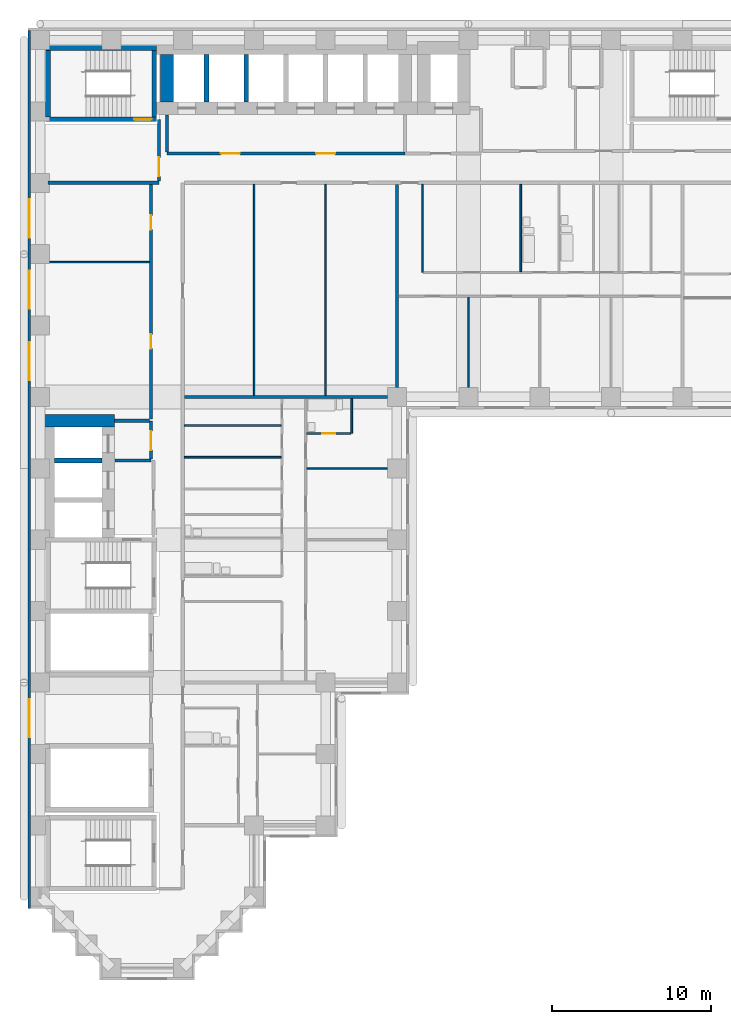
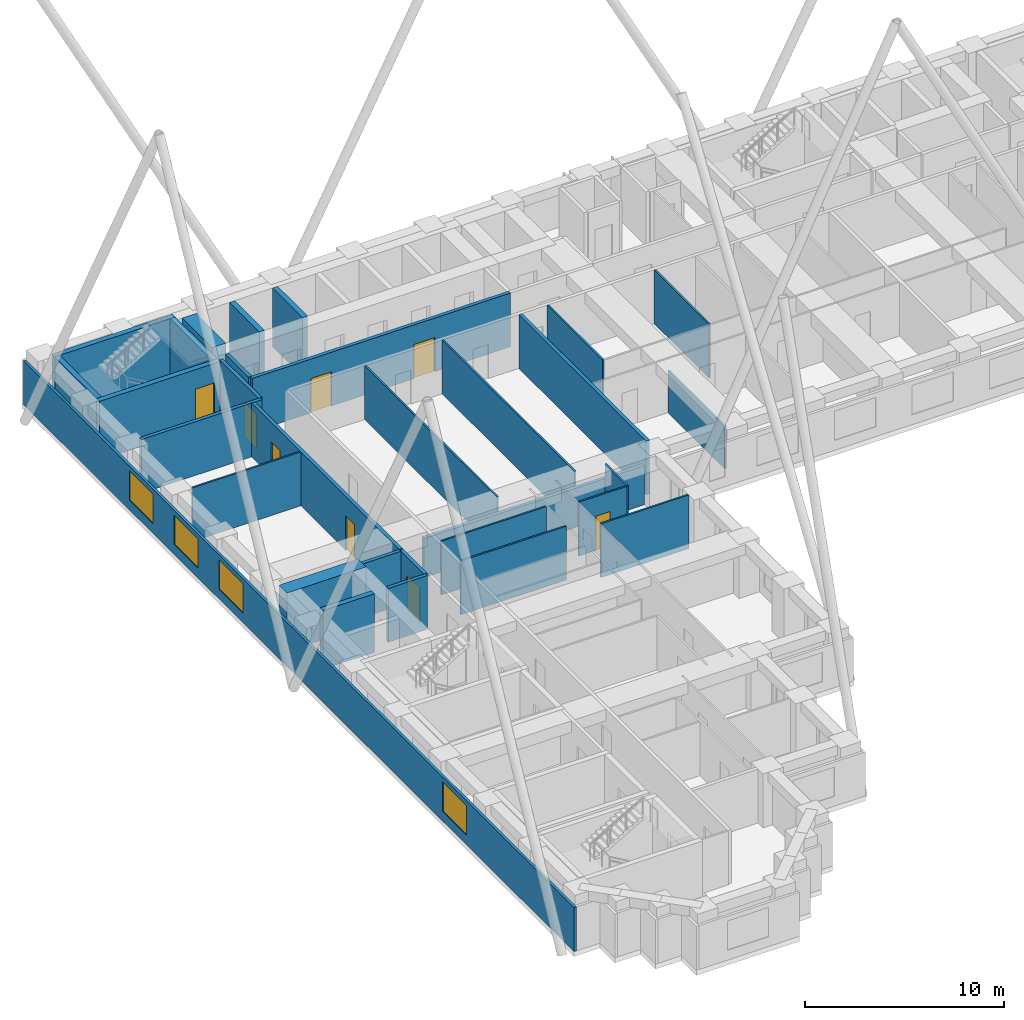
# One storey, part 5 of 12: 31 walls, 8 doors, 4 windows, 12 openings.
"""IFC4 building model written with IfcOpenShell, lengths in metres."""

from ifc_helpers import new_model, si_unit, direction, frame, frame_2d, origin, place, context, subcontext, project, spatial, rectangle, extrude, material, layer, layer_set, type_object, element, fill, save


model = new_model("IFC4")

# Units and contexts
model_context = context("Model", 3, precision=1e-05, world=origin(), true_north=direction((0.0, 1.0)))
body_context = subcontext(model_context, "Body", "Model", "MODEL_VIEW")
ifc_project = project(units=[si_unit("LENGTHUNIT", "METRE"), si_unit("AREAUNIT", "SQUARE_METRE"), si_unit("VOLUMEUNIT", "CUBIC_METRE"), si_unit("PLANEANGLEUNIT", "RADIAN"), si_unit("MASSUNIT", "GRAM", prefix="KILO")], contexts=[model_context])

# Site, building, storey
site_placement = place(None, origin())
site = spatial("IfcSite", under=ifc_project, at=site_placement, CompositionType="ELEMENT")
building_placement = place(site_placement, origin())
building = spatial("IfcBuilding", under=site, at=building_placement, Name="Firuza Court", CompositionType="ELEMENT")
storey_placement = place(building_placement, frame((0.0, 0.0, 93.800048828125)))
storey = spatial("IfcBuildingStorey", under=building, at=storey_placement, Name="L23", CompositionType="ELEMENT", Elevation=93.800048828125)

# Wall, opening, door
ifc_material_1 = material(Name="Moisture-resistant gypsum board partition")
ifc_layer_1 = layer(ifc_material_1, 0.10009765625)
ifc_layer_set_1 = layer_set([ifc_layer_1], Name="Moisture-resistant gypsum board partition")
wall_type_1 = type_object("IfcWallType", Name="Bathroom partition 100", PredefinedType="PLUMBINGWALL", material=ifc_layer_set_1)
wall_1_placement = place(storey_placement, frame((16.800048828125, 33.699951171875, 0.0), z_axis=(0.0, 0.0, 1.0), x_axis=(1.0, 0.0, 0.0)))
wall_1 = element("IfcWall", 1, at=wall_1_placement, inside=storey, type_object=wall_type_1, Name="Bathroom partition 100 L23", PredefinedType="PLUMBINGWALL", context=body_context, shape_type="SweptSolid", body=[
    extrude(rectangle(XDim=2.800048828125, YDim=0.10009765625, at=frame_2d((1.39990234375, 0.0))), origin(), (0.0, 0.0, 1.0), 3.300048828125),
])
opening_1_placement = place(wall_1_placement, frame((1.0, 0.0, 0.0)))
opening_1 = element("IfcOpeningElement", 2, at=opening_1_placement, cuts=wall_1, Name="Opening D23038", PredefinedType="OPENING", context=body_context, shape_type="SweptSolid", body=[
    extrude(rectangle(XDim=0.800048828125, YDim=2.10009765625, at=frame_2d((0.39990234375, 1.050048828125))), frame((0.0, 0.06201171875, 0.0), z_axis=(0.0, -1.0, 0.0), x_axis=(1.0, 0.0, 0.0)), (0.0, 0.0, 1.0), 0.1240234375),
])
ifc_material_2 = material(Name="Timber door leaf in hardwood frame", Category="wood")
door_type_1 = type_object("IfcDoorType", Name="Bathroom door 800", OperationType="SINGLE_SWING_LEFT", PredefinedType="DOOR", material=ifc_material_2)
door_1_placement = place(opening_1_placement, origin())
door_1 = element("IfcDoor", 3, at=door_1_placement, inside=storey, type_object=door_type_1, Name="En-suite door", OperationType="SINGLE_SWING_LEFT", OverallHeight=2.10009765625, OverallWidth=0.800048828125, PredefinedType="DOOR", context=body_context, shape_type="SweptSolid", body=[
    extrude(rectangle(XDim=0.800048828125, YDim=2.10009765625, at=frame_2d((0.39990234375, 1.050048828125))), frame((0.0, 0.02490234375, 0.0), z_axis=(0.0, -1.0, 0.0), x_axis=(1.0, 0.0, 0.0)), (0.0, 0.0, 1.0), 0.050048828125),
])
fill(opening_1, door_1)

# Walls
wall_2_placement = place(storey_placement, frame((19.64990234375, 33.699951171875, 0.0), z_axis=(0.0, 0.0, 1.0), x_axis=(0.0, 1.0, 0.0)))
element("IfcWall", 4, at=wall_2_placement, inside=storey, type_object=wall_type_1, Name="Bathroom partition 100 L23", PredefinedType="PLUMBINGWALL", context=body_context, shape_type="SweptSolid", body=[
    extrude(rectangle(XDim=2.199951171875, YDim=0.10009765625, at=frame_2d((1.10009765625, 0.0))), origin(), (0.0, 0.0, 1.0), 3.300048828125),
])
wall_3_placement = place(storey_placement, frame((30.300048828125, 43.89990234375, 0.0), z_axis=(0.0, 0.0, 1.0), x_axis=(0.0, 1.0, 0.0)))
element("IfcWall", 5, at=wall_3_placement, inside=storey, type_object=wall_type_1, Name="Bathroom partition 100 L23", PredefinedType="PLUMBINGWALL", context=body_context, shape_type="SweptSolid", body=[
    extrude(rectangle(XDim=5.5, YDim=0.10009765625, at=frame_2d((2.75, 0.0))), origin(), (0.0, 0.0, 1.0), 3.300048828125),
])

# Wall, opening, door
ifc_material_3 = material(Name="Concrete C60/75", Category="concrete")
ifc_layer_2 = layer(ifc_material_3, 0.300048828125)
ifc_layer_set_2 = layer_set([ifc_layer_2], Name="Concrete C60/75")
wall_type_2 = type_object("IfcWallType", Name="Core wall 300 C60/75", PredefinedType="SHEAR", material=ifc_layer_set_2)
wall_4_placement = place(storey_placement, frame((0.35009765625, 53.5, -0.300048828125), z_axis=(0.0, 0.0, 1.0), x_axis=(1.0, 0.0, 0.0)))
wall_4 = element("IfcWall", 6, at=wall_4_placement, inside=storey, type_object=wall_type_2, Name="Core wall stair L23", PredefinedType="SHEAR", context=body_context, shape_type="SweptSolid", body=[
    extrude(rectangle(XDim=7.0, YDim=0.300048828125, at=frame_2d((3.5, 0.0))), origin(), (0.0, 0.0, 1.0), 3.60009765625),
])
opening_2_placement = place(wall_4_placement, frame((5.580078125, 0.0, 0.300048828125)))
opening_2 = element("IfcOpeningElement", 7, at=opening_2_placement, cuts=wall_4, Name="Opening D23016", PredefinedType="OPENING", context=body_context, shape_type="SweptSolid", body=[
    extrude(rectangle(XDim=1.10009765625, YDim=2.10009765625, at=frame_2d((0.550048828125, 1.050048828125))), frame((0.0, 0.162109375, 0.0), z_axis=(0.0, -1.0, 0.0), x_axis=(1.0, 0.0, 0.0)), (0.0, 0.0, 1.0), 0.323974609375),
])
ifc_material_4 = material(Name="Timber door leaf in hardwood frame", Category="wood")
door_type_2 = type_object("IfcDoorType", Name="Stair door 1100", OperationType="SINGLE_SWING_LEFT", PredefinedType="DOOR", material=ifc_material_4)
door_2_placement = place(opening_2_placement, origin())
door_2 = element("IfcDoor", 8, at=door_2_placement, inside=storey, type_object=door_type_2, Name="Stair door S3", OperationType="SINGLE_SWING_RIGHT", OverallHeight=2.10009765625, OverallWidth=1.10009765625, PredefinedType="DOOR", context=body_context, shape_type="SweptSolid", body=[
    extrude(rectangle(XDim=1.10009765625, YDim=2.10009765625, at=frame_2d((0.550048828125, 1.050048828125))), frame((0.0, 0.02490234375, 0.0), z_axis=(0.0, -1.0, 0.0), x_axis=(1.0, 0.0, 0.0)), (0.0, 0.0, 1.0), 0.050048828125),
])
fill(opening_2, door_2)

# Walls
wall_5_placement = place(storey_placement, frame((0.35009765625, 58.0, -0.300048828125), z_axis=(0.0, 0.0, 1.0), x_axis=(1.0, 0.0, 0.0)))
element("IfcWall", 9, at=wall_5_placement, inside=storey, type_object=wall_type_2, Name="Core wall stair L23", PredefinedType="SHEAR", context=body_context, shape_type="SweptSolid", body=[
    extrude(rectangle(XDim=7.0, YDim=0.300048828125, at=frame_2d((3.5, 0.0))), origin(), (0.0, 0.0, 1.0), 3.60009765625),
])
wall_6_placement = place(storey_placement, frame((0.5, 53.64990234375, -0.300048828125), z_axis=(0.0, 0.0, 1.0), x_axis=(0.0, 1.0, 0.0)))
element("IfcWall", 10, at=wall_6_placement, inside=storey, type_object=wall_type_2, Name="Core wall stair L23", PredefinedType="SHEAR", context=body_context, shape_type="SweptSolid", body=[
    extrude(rectangle(XDim=4.2001953125, YDim=0.300048828125, at=frame_2d((2.10009765625, 0.0))), origin(), (0.0, 0.0, 1.0), 3.60009765625),
])
wall_7_placement = place(storey_placement, frame((0.89990234375, 32.0, -0.300048828125), z_axis=(0.0, 0.0, 1.0), x_axis=(1.0, 0.0, 0.0)))
element("IfcWall", 11, at=wall_7_placement, inside=storey, type_object=wall_type_2, Name="Core wall lift shaft L23", PredefinedType="SHEAR", context=body_context, shape_type="SweptSolid", body=[
    extrude(rectangle(XDim=3.0, YDim=0.300048828125, at=frame_2d((1.5, 0.0))), origin(), (0.0, 0.0, 1.0), 3.60009765625),
])
wall_8_placement = place(storey_placement, frame((7.199951171875, 53.64990234375, -0.300048828125), z_axis=(0.0, 0.0, 1.0), x_axis=(0.0, 1.0, 0.0)))
element("IfcWall", 12, at=wall_8_placement, inside=storey, type_object=wall_type_2, Name="Core wall stair L23", PredefinedType="SHEAR", context=body_context, shape_type="SweptSolid", body=[
    extrude(rectangle(XDim=4.2001953125, YDim=0.300048828125, at=frame_2d((2.10009765625, 0.0))), origin(), (0.0, 0.0, 1.0), 3.60009765625),
])
for number, where, z_axis, x_axis, name in (
    (13, (10.5, 54.60009765625, -0.300048828125), (0.0, 0.0, 1.0), (0.0, 1.0, 0.0), "Core wall lift shaft L23"),
    (14, (13.0, 54.60009765625, -0.300048828125), (0.0, 0.0, 1.0), (0.0, 1.0, 0.0), "Core wall lift shaft L23"),
):
    element("IfcWall", number, at=place(storey_placement, frame(where, z_axis=z_axis, x_axis=x_axis)), inside=storey, type_object=wall_type_2, Name=name, PredefinedType="SHEAR", context=body_context, shape_type="SweptSolid", body=[
        extrude(rectangle(XDim=3.0, YDim=0.300048828125, at=frame_2d((1.5, 0.0))), origin(), (0.0, 0.0, 1.0), 3.60009765625),
    ])
ifc_layer_3 = layer(ifc_material_3, 0.800048828125)
ifc_layer_set_3 = layer_set([ifc_layer_3], Name="Concrete C60/75")
wall_type_3 = type_object("IfcWallType", Name="Core wall 800 C60/75", PredefinedType="SHEAR", material=ifc_layer_set_3)
wall_9_placement = place(storey_placement, frame((0.10009765625, 34.5, -0.300048828125), z_axis=(0.0, 0.0, 1.0), x_axis=(1.0, 0.0, 0.0)))
element("IfcWall", 15, at=wall_9_placement, inside=storey, type_object=wall_type_3, Name="Core wall lift shaft L23", PredefinedType="SHEAR", context=body_context, shape_type="SweptSolid", body=[
    extrude(rectangle(XDim=4.599853515625, YDim=0.800048828125, at=frame_2d((2.2998046875, 0.0))), origin(), (0.0, 0.0, 1.0), 3.60009765625),
])
wall_10_placement = place(storey_placement, frame((8.0, 54.60009765625, -0.300048828125), z_axis=(0.0, 0.0, 1.0), x_axis=(0.0, 1.0, 0.0)))
element("IfcWall", 16, at=wall_10_placement, inside=storey, type_object=wall_type_3, Name="Core wall lift shaft L23", PredefinedType="SHEAR", context=body_context, shape_type="SweptSolid", body=[
    extrude(rectangle(XDim=3.0, YDim=0.800048828125, at=frame_2d((1.5, 0.0))), origin(), (0.0, 0.0, 1.0), 3.60009765625),
])

# Wall, openings, doors
ifc_material_5 = material(Name="Blockwork, plastered both sides", Category="masonry")
ifc_layer_4 = layer(ifc_material_5, 0.199951171875)
ifc_layer_set_4 = layer_set([ifc_layer_4], Name="Blockwork, plastered both sides")
wall_type_4 = type_object("IfcWallType", Name="Corridor wall 200", PredefinedType="PARTITIONING", material=ifc_layer_set_4)
wall_11_placement = place(storey_placement, frame((7.0, 34.60009765625, 0.0), z_axis=(0.0, 0.0, 1.0), x_axis=(0.0, 1.0, 0.0)))
wall_11 = element("IfcWall", 17, at=wall_11_placement, inside=storey, type_object=wall_type_4, Name="Corridor wall 200 L23", PredefinedType="PARTITIONING", context=body_context, shape_type="SweptSolid", body=[
    extrude(rectangle(XDim=14.7998046875, YDim=0.199951171875, at=frame_2d((7.39990234375, 0.0))), origin(), (0.0, 0.0, 1.0), 3.300048828125),
])
opening_3_placement = place(wall_11_placement, frame((4.449951171875, 0.0, 0.0)))
opening_3 = element("IfcOpeningElement", 18, at=opening_3_placement, cuts=wall_11, Name="Opening D23039", PredefinedType="OPENING", context=body_context, shape_type="SweptSolid", body=[
    extrude(rectangle(XDim=0.89990234375, YDim=2.10009765625, at=frame_2d((0.449951171875, 1.050048828125))), frame((0.0, 0.11181640625, 0.0), z_axis=(0.0, -1.0, 0.0), x_axis=(1.0, 0.0, 0.0)), (0.0, 0.0, 1.0), 0.223876953125),
])
opening_4_placement = place(wall_11_placement, frame((11.949951171875, 0.0, 0.0)))
opening_4 = element("IfcOpeningElement", 19, at=opening_4_placement, cuts=wall_11, Name="Opening D23040", PredefinedType="OPENING", context=body_context, shape_type="SweptSolid", body=[
    extrude(rectangle(XDim=0.89990234375, YDim=2.10009765625, at=frame_2d((0.449951171875, 1.050048828125))), frame((0.0, 0.11181640625, 0.0), z_axis=(0.0, -1.0, 0.0), x_axis=(1.0, 0.0, 0.0)), (0.0, 0.0, 1.0), 0.223876953125),
])
ifc_material_6 = material(Name="Timber door leaf in hardwood frame", Category="wood")
door_type_3 = type_object("IfcDoorType", Name="Room door 900 EI 30", OperationType="SINGLE_SWING_LEFT", PredefinedType="DOOR", material=ifc_material_6)
door_3_placement = place(opening_3_placement, origin())
door_3 = element("IfcDoor", 20, at=door_3_placement, inside=storey, type_object=door_type_3, Name="Residents' workroom door", OperationType="SINGLE_SWING_LEFT", OverallHeight=2.10009765625, OverallWidth=0.89990234375, PredefinedType="DOOR", context=body_context, shape_type="SweptSolid", body=[
    extrude(rectangle(XDim=0.89990234375, YDim=2.10009765625, at=frame_2d((0.449951171875, 1.050048828125))), frame((0.0, 0.02490234375, 0.0), z_axis=(0.0, -1.0, 0.0), x_axis=(1.0, 0.0, 0.0)), (0.0, 0.0, 1.0), 0.050048828125),
])
fill(opening_3, door_3)
door_4_placement = place(opening_4_placement, origin())
door_4 = element("IfcDoor", 21, at=door_4_placement, inside=storey, type_object=door_type_3, Name="Residents' workroom door", OperationType="SINGLE_SWING_LEFT", OverallHeight=2.10009765625, OverallWidth=0.89990234375, PredefinedType="DOOR", context=body_context, shape_type="SweptSolid", body=[
    extrude(rectangle(XDim=0.89990234375, YDim=2.10009765625, at=frame_2d((0.449951171875, 1.050048828125))), frame((0.0, 0.02490234375, 0.0), z_axis=(0.0, -1.0, 0.0), x_axis=(1.0, 0.0, 0.0)), (0.0, 0.0, 1.0), 0.050048828125),
])
fill(opening_4, door_4)

# Walls
ifc_material_7 = material(Name="Timber stud partition, plasterboard both sides", Category="wood")
ifc_layer_5 = layer(ifc_material_7, 0.10009765625)
ifc_layer_set_5 = layer_set([ifc_layer_5], Name="Timber stud partition, plasterboard both sides")
wall_type_5 = type_object("IfcWallType", Name="Partition wall 100", PredefinedType="PARTITIONING", material=ifc_layer_set_5)
wall_12_placement = place(storey_placement, frame((16.800048828125, 31.5, 0.0), z_axis=(0.0, 0.0, 1.0), x_axis=(1.0, 0.0, 0.0)))
element("IfcWall", 22, at=wall_12_placement, inside=storey, type_object=wall_type_5, Name="Partition wall 100 L23", PredefinedType="PARTITIONING", context=body_context, shape_type="SweptSolid", body=[
    extrude(rectangle(XDim=5.099853515625, YDim=0.10009765625, at=frame_2d((2.5498046875, 0.0))), origin(), (0.0, 0.0, 1.0), 3.300048828125),
])
for number, where, z_axis, x_axis, name in (
    (23, (9.10009765625, 32.199951171875, 0.0), (0.0, 0.0, 1.0), (1.0, 0.0, 0.0), "Partition wall 100 L23"),
    (24, (9.10009765625, 34.199951171875, 0.0), (0.0, 0.0, 1.0), (1.0, 0.0, 0.0), "Partition wall 100 L23"),
):
    element("IfcWall", number, at=place(storey_placement, frame(where, z_axis=z_axis, x_axis=x_axis)), inside=storey, type_object=wall_type_5, Name=name, PredefinedType="PARTITIONING", context=body_context, shape_type="SweptSolid", body=[
        extrude(rectangle(XDim=6.099853515625, YDim=0.10009765625, at=frame_2d((3.0498046875, 0.0))), origin(), (0.0, 0.0, 1.0), 3.300048828125),
    ])
for number, where, z_axis, x_axis, name in (
    (25, (13.5, 36.10009765625, 0.0), (0.0, 0.0, 1.0), (0.0, 1.0, 0.0), "Partition wall 100 L23"),
    (26, (18.0, 36.10009765625, 0.0), (0.0, 0.0, 1.0), (0.0, 1.0, 0.0), "Partition wall 100 L23"),
):
    element("IfcWall", number, at=place(storey_placement, frame(where, z_axis=z_axis, x_axis=x_axis)), inside=storey, type_object=wall_type_5, Name=name, PredefinedType="PARTITIONING", context=body_context, shape_type="SweptSolid", body=[
        extrude(rectangle(XDim=13.2998046875, YDim=0.10009765625, at=frame_2d((6.64990234375, 0.0))), origin(), (0.0, 0.0, 1.0), 3.300048828125),
    ])
wall_13_placement = place(storey_placement, frame((27.0, 36.60009765625, 0.0), z_axis=(0.0, 0.0, 1.0), x_axis=(0.0, 1.0, 0.0)))
element("IfcWall", 27, at=wall_13_placement, inside=storey, type_object=wall_type_5, Name="Partition wall 100 L23", PredefinedType="PARTITIONING", context=body_context, shape_type="SweptSolid", body=[
    extrude(rectangle(XDim=5.699951171875, YDim=0.10009765625, at=frame_2d((2.85009765625, 0.0))), origin(), (0.0, 0.0, 1.0), 2.599853515625),
])
wall_14_placement = place(storey_placement, frame((24.10009765625, 43.85009765625, 0.0), z_axis=(0.0, 0.0, 1.0), x_axis=(0.0, 1.0, 0.0)))
element("IfcWall", 28, at=wall_14_placement, inside=storey, type_object=wall_type_5, Name="Partition wall 100 L23", PredefinedType="PARTITIONING", context=body_context, shape_type="SweptSolid", body=[
    extrude(rectangle(XDim=5.5498046875, YDim=0.10009765625, at=frame_2d((2.77490234375, 0.0))), origin(), (0.0, 0.0, 1.0), 3.300048828125),
])
wall_15_placement = place(storey_placement, frame((0.60009765625, 44.5, 0.0), z_axis=(0.0, 0.0, 1.0), x_axis=(1.0, 0.0, 0.0)))
element("IfcWall", 29, at=wall_15_placement, inside=storey, type_object=wall_type_5, Name="Partition wall 100 L23", PredefinedType="PARTITIONING", context=body_context, shape_type="SweptSolid", body=[
    extrude(rectangle(XDim=6.2998046875, YDim=0.10009765625, at=frame_2d((3.14990234375, 0.0))), origin(), (0.0, 0.0, 1.0), 3.300048828125),
])
ifc_layer_6 = layer(ifc_material_5, 0.199951171875)
ifc_layer_set_6 = layer_set([ifc_layer_6], Name="Blockwork, plastered both sides")
wall_type_6 = type_object("IfcWallType", Name="Party wall 200", PredefinedType="PARTITIONING", material=ifc_layer_set_6)
wall_16_placement = place(storey_placement, frame((9.10009765625, 36.0, 0.0), z_axis=(0.0, 0.0, 1.0), x_axis=(1.0, 0.0, 0.0)))
element("IfcWall", 30, at=wall_16_placement, inside=storey, type_object=wall_type_6, Name="Party wall 200 L23", PredefinedType="PARTITIONING", context=body_context, shape_type="SweptSolid", body=[
    extrude(rectangle(XDim=12.7998046875, YDim=0.199951171875, at=frame_2d((6.39990234375, 0.0))), origin(), (0.0, 0.0, 1.0), 2.39990234375),
])
wall_17_placement = place(storey_placement, frame((22.5, 36.60009765625, 0.0), z_axis=(0.0, 0.0, 1.0), x_axis=(0.0, 1.0, 0.0)))
element("IfcWall", 31, at=wall_17_placement, inside=storey, type_object=wall_type_6, Name="Party wall 200 L23", PredefinedType="PARTITIONING", context=body_context, shape_type="SweptSolid", body=[
    extrude(rectangle(XDim=12.7998046875, YDim=0.199951171875, at=frame_2d((6.39990234375, 0.0))), origin(), (0.0, 0.0, 1.0), 3.300048828125),
])

# Wall, openings, windows
ifc_material_8 = material(Name="Ceramic tile", Category="ceramic")
ifc_layer_7 = layer(ifc_material_8, 0.02001953125)
ifc_material_9 = material(Name="Mineral wool insulation", Category="insulation")
ifc_layer_8 = layer(ifc_material_9, 0.050048828125)
ifc_material_10 = material(Name="Concrete C40/50 precast", Category="concrete")
ifc_layer_9 = layer(ifc_material_10, 0.080078125)
ifc_layer_set_7 = layer_set([ifc_layer_7, ifc_layer_8, ifc_layer_9], Name="Concrete C40/50 precast")
wall_type_7 = type_object("IfcWallType", Name="Precast cladding wall with turquoise TILE PANEL face 150", PredefinedType="STANDARD", material=ifc_layer_set_7)
wall_18_placement = place(storey_placement, frame((-0.675048828125, 59.10009765625, 0.0), z_axis=(0.0, 0.0, 1.0), x_axis=(0.0, -1.0, 0.0)))
wall_18 = element("IfcWall", 32, at=wall_18_placement, inside=storey, type_object=wall_type_7, Name="Facade wall L23 W", PredefinedType="STANDARD", context=body_context, shape_type="SweptSolid", body=[
    extrude(rectangle(XDim=55.35009765625, YDim=0.14990234375, at=frame_2d((27.675048828125, 0.0))), origin(), (0.0, 0.0, 1.0), 2.699951171875),
])
opening_5_placement = place(wall_18_placement, frame((10.64990234375, 0.0, 0.60009765625)))
opening_5 = element("IfcOpeningElement", 33, at=opening_5_placement, cuts=wall_18, Name="Opening W1", PredefinedType="OPENING", context=body_context, shape_type="SweptSolid", body=[
    extrude(rectangle(XDim=2.39990234375, YDim=1.800048828125, at=frame_2d((1.199951171875, 0.89990234375))), frame((0.0, 0.0869140625, 0.0), z_axis=(0.0, -1.0, 0.0), x_axis=(1.0, 0.0, 0.0)), (0.0, 0.0, 1.0), 0.173828125),
])
opening_6_placement = place(wall_18_placement, frame((15.14990234375, 0.0, 0.60009765625)))
opening_6 = element("IfcOpeningElement", 34, at=opening_6_placement, cuts=wall_18, Name="Opening W1", PredefinedType="OPENING", context=body_context, shape_type="SweptSolid", body=[
    extrude(rectangle(XDim=2.39990234375, YDim=1.800048828125, at=frame_2d((1.199951171875, 0.89990234375))), frame((0.0, 0.0869140625, 0.0), z_axis=(0.0, -1.0, 0.0), x_axis=(1.0, 0.0, 0.0)), (0.0, 0.0, 1.0), 0.173828125),
])
opening_7_placement = place(wall_18_placement, frame((19.64990234375, 0.0, 0.60009765625)))
opening_7 = element("IfcOpeningElement", 35, at=opening_7_placement, cuts=wall_18, Name="Opening W1", PredefinedType="OPENING", context=body_context, shape_type="SweptSolid", body=[
    extrude(rectangle(XDim=2.39990234375, YDim=1.800048828125, at=frame_2d((1.199951171875, 0.89990234375))), frame((0.0, 0.0869140625, 0.0), z_axis=(0.0, -1.0, 0.0), x_axis=(1.0, 0.0, 0.0)), (0.0, 0.0, 1.0), 0.173828125),
])
opening_8_placement = place(wall_18_placement, frame((42.14990234375, 0.0, 0.60009765625)))
opening_8 = element("IfcOpeningElement", 36, at=opening_8_placement, cuts=wall_18, Name="Opening W1", PredefinedType="OPENING", context=body_context, shape_type="SweptSolid", body=[
    extrude(rectangle(XDim=2.39990234375, YDim=1.800048828125, at=frame_2d((1.199951171875, 0.89990234375))), frame((0.0, 0.0869140625, 0.0), z_axis=(0.0, -1.0, 0.0), x_axis=(1.0, 0.0, 0.0)), (0.0, 0.0, 1.0), 0.173828125),
])
ifc_material_11 = material(Name="Aluminium frame, triple clear glazing", Category="aluminium")
window_type = type_object("IfcWindowType", Name="Window W1 2400 x 1800", PartitioningType="SINGLE_PANEL", PredefinedType="WINDOW", material=ifc_material_11)
window_1_placement = place(opening_5_placement, origin())
window_1 = element("IfcWindow", 37, at=window_1_placement, inside=storey, type_object=window_type, Name="Window L23", OverallHeight=1.800048828125, OverallWidth=2.39990234375, PartitioningType="SINGLE_PANEL", PredefinedType="WINDOW", context=body_context, shape_type="SweptSolid", body=[
    extrude(rectangle(XDim=2.39990234375, YDim=1.800048828125, at=frame_2d((1.199951171875, 0.89990234375))), frame((0.0, 0.030029296875, 0.0), z_axis=(0.0, -1.0, 0.0), x_axis=(1.0, 0.0, 0.0)), (0.0, 0.0, 1.0), 0.06005859375),
])
fill(opening_5, window_1)
window_2_placement = place(opening_6_placement, origin())
window_2 = element("IfcWindow", 38, at=window_2_placement, inside=storey, type_object=window_type, Name="Window L23", OverallHeight=1.800048828125, OverallWidth=2.39990234375, PartitioningType="SINGLE_PANEL", PredefinedType="WINDOW", context=body_context, shape_type="SweptSolid", body=[
    extrude(rectangle(XDim=2.39990234375, YDim=1.800048828125, at=frame_2d((1.199951171875, 0.89990234375))), frame((0.0, 0.030029296875, 0.0), z_axis=(0.0, -1.0, 0.0), x_axis=(1.0, 0.0, 0.0)), (0.0, 0.0, 1.0), 0.06005859375),
])
fill(opening_6, window_2)
window_3_placement = place(opening_7_placement, origin())
window_3 = element("IfcWindow", 39, at=window_3_placement, inside=storey, type_object=window_type, Name="Window L23", OverallHeight=1.800048828125, OverallWidth=2.39990234375, PartitioningType="SINGLE_PANEL", PredefinedType="WINDOW", context=body_context, shape_type="SweptSolid", body=[
    extrude(rectangle(XDim=2.39990234375, YDim=1.800048828125, at=frame_2d((1.199951171875, 0.89990234375))), frame((0.0, 0.030029296875, 0.0), z_axis=(0.0, -1.0, 0.0), x_axis=(1.0, 0.0, 0.0)), (0.0, 0.0, 1.0), 0.06005859375),
])
fill(opening_7, window_3)
window_4_placement = place(opening_8_placement, origin())
window_4 = element("IfcWindow", 40, at=window_4_placement, inside=storey, type_object=window_type, Name="Window L23", OverallHeight=1.800048828125, OverallWidth=2.39990234375, PartitioningType="SINGLE_PANEL", PredefinedType="WINDOW", context=body_context, shape_type="SweptSolid", body=[
    extrude(rectangle(XDim=2.39990234375, YDim=1.800048828125, at=frame_2d((1.199951171875, 0.89990234375))), frame((0.0, 0.030029296875, 0.0), z_axis=(0.0, -1.0, 0.0), x_axis=(1.0, 0.0, 0.0)), (0.0, 0.0, 1.0), 0.06005859375),
])
fill(opening_8, window_4)

# Wall, openings, doors
ifc_material_12 = material(Name="Blockwork, fire-rated", Category="masonry")
ifc_layer_10 = layer(ifc_material_12, 0.199951171875)
ifc_layer_set_8 = layer_set([ifc_layer_10], Name="Blockwork, fire-rated")
wall_type_8 = type_object("IfcWallType", Name="Shaft wall 200", PredefinedType="PARTITIONING", material=ifc_layer_set_8)
wall_19_placement = place(storey_placement, frame((8.0, 51.35009765625, 0.0), z_axis=(0.0, 0.0, 1.0), x_axis=(1.0, 0.0, 0.0)))
wall_19 = element("IfcWall", 41, at=wall_19_placement, inside=storey, type_object=wall_type_8, Name="Shaft wall 200 L23", PredefinedType="PARTITIONING", context=body_context, shape_type="SweptSolid", body=[
    extrude(rectangle(XDim=15.0, YDim=0.199951171875, at=frame_2d((7.5, 0.0))), origin(), (0.0, 0.0, 1.0), 3.300048828125),
])
opening_9_placement = place(wall_19_placement, frame((3.39990234375, 0.0, 0.0)))
opening_9 = element("IfcOpeningElement", 42, at=opening_9_placement, cuts=wall_19, Name="Opening D23004", PredefinedType="OPENING", context=body_context, shape_type="SweptSolid", body=[
    extrude(rectangle(XDim=1.199951171875, YDim=2.10009765625, at=frame_2d((0.60009765625, 1.050048828125))), frame((0.0, 0.11181640625, 0.0), z_axis=(0.0, -1.0, 0.0), x_axis=(1.0, 0.0, 0.0)), (0.0, 0.0, 1.0), 0.223876953125),
])
opening_10_placement = place(wall_19_placement, frame((9.39990234375, 0.0, 0.0)))
opening_10 = element("IfcOpeningElement", 43, at=opening_10_placement, cuts=wall_19, Name="Opening D23005", PredefinedType="OPENING", context=body_context, shape_type="SweptSolid", body=[
    extrude(rectangle(XDim=1.199951171875, YDim=2.10009765625, at=frame_2d((0.60009765625, 1.050048828125))), frame((0.0, 0.11181640625, 0.0), z_axis=(0.0, -1.0, 0.0), x_axis=(1.0, 0.0, 0.0)), (0.0, 0.0, 1.0), 0.223876953125),
])
ifc_material_13 = material(Name="Timber door leaf in hardwood frame", Category="wood")
door_type_4 = type_object("IfcDoorType", Name="Lobby door 1200", OperationType="SINGLE_SWING_LEFT", PredefinedType="DOOR", material=ifc_material_13)
door_5_placement = place(opening_9_placement, origin())
door_5 = element("IfcDoor", 44, at=door_5_placement, inside=storey, type_object=door_type_4, Name="Lobby door", OperationType="SINGLE_SWING_LEFT", OverallHeight=2.10009765625, OverallWidth=1.199951171875, PredefinedType="DOOR", context=body_context, shape_type="SweptSolid", body=[
    extrude(rectangle(XDim=1.199951171875, YDim=2.10009765625, at=frame_2d((0.60009765625, 1.050048828125))), frame((0.0, 0.02490234375, 0.0), z_axis=(0.0, -1.0, 0.0), x_axis=(1.0, 0.0, 0.0)), (0.0, 0.0, 1.0), 0.050048828125),
])
fill(opening_9, door_5)
door_6_placement = place(opening_10_placement, origin())
door_6 = element("IfcDoor", 45, at=door_6_placement, inside=storey, type_object=door_type_4, Name="Lobby door", OperationType="SINGLE_SWING_RIGHT", OverallHeight=2.10009765625, OverallWidth=1.199951171875, PredefinedType="DOOR", context=body_context, shape_type="SweptSolid", body=[
    extrude(rectangle(XDim=1.199951171875, YDim=2.10009765625, at=frame_2d((0.60009765625, 1.050048828125))), frame((0.0, 0.02490234375, 0.0), z_axis=(0.0, -1.0, 0.0), x_axis=(1.0, 0.0, 0.0)), (0.0, 0.0, 1.0), 0.050048828125),
])
fill(opening_10, door_6)

# Walls
wall_20_placement = place(storey_placement, frame((8.0, 51.449951171875, 0.0), z_axis=(0.0, 0.0, 1.0), x_axis=(0.0, 1.0, 0.0)))
element("IfcWall", 46, at=wall_20_placement, inside=storey, type_object=wall_type_8, Name="Shaft wall 200 L23", PredefinedType="PARTITIONING", context=body_context, shape_type="SweptSolid", body=[
    extrude(rectangle(XDim=2.330078125, YDim=0.199951171875, at=frame_2d((1.1650390625, 0.0))), origin(), (0.0, 0.0, 1.0), 3.300048828125),
])
wall_21_placement = place(storey_placement, frame((4.719970703125, 32.0, 0.0), z_axis=(0.0, 0.0, 1.0), x_axis=(1.0, 0.0, 0.0)))
element("IfcWall", 47, at=wall_21_placement, inside=storey, type_object=wall_type_8, Name="Shaft wall 200 L23", PredefinedType="PARTITIONING", context=body_context, shape_type="SweptSolid", body=[
    extrude(rectangle(XDim=2.280029296875, YDim=0.199951171875, at=frame_2d((1.14013671875, 0.0))), origin(), (0.0, 0.0, 1.0), 3.300048828125),
])

# Wall, opening, door
wall_22_placement = place(storey_placement, frame((7.0, 32.10009765625, 0.0), z_axis=(0.0, 0.0, 1.0), x_axis=(0.0, 1.0, 0.0)))
wall_22 = element("IfcWall", 48, at=wall_22_placement, inside=storey, type_object=wall_type_8, Name="Shaft wall 200 L23", PredefinedType="PARTITIONING", context=body_context, shape_type="SweptSolid", body=[
    extrude(rectangle(XDim=2.39990234375, YDim=0.199951171875, at=frame_2d((1.199951171875, 0.0))), origin(), (0.0, 0.0, 1.0), 3.300048828125),
])
opening_11_placement = place(wall_22_placement, frame((0.550048828125, 0.0, 0.0)))
opening_11 = element("IfcOpeningElement", 49, at=opening_11_placement, cuts=wall_22, Name="Opening D23008", PredefinedType="OPENING", context=body_context, shape_type="SweptSolid", body=[
    extrude(rectangle(XDim=1.199951171875, YDim=2.10009765625, at=frame_2d((0.60009765625, 1.050048828125))), frame((0.0, 0.11181640625, 0.0), z_axis=(0.0, -1.0, 0.0), x_axis=(1.0, 0.0, 0.0)), (0.0, 0.0, 1.0), 0.223876953125),
])
door_7_placement = place(opening_11_placement, origin())
door_7 = element("IfcDoor", 50, at=door_7_placement, inside=storey, type_object=door_type_4, Name="Lobby door", OperationType="SINGLE_SWING_LEFT", OverallHeight=2.10009765625, OverallWidth=1.199951171875, PredefinedType="DOOR", context=body_context, shape_type="SweptSolid", body=[
    extrude(rectangle(XDim=1.199951171875, YDim=2.10009765625, at=frame_2d((0.60009765625, 1.050048828125))), frame((0.0, 0.02490234375, 0.0), z_axis=(0.0, -1.0, 0.0), x_axis=(1.0, 0.0, 0.0)), (0.0, 0.0, 1.0), 0.050048828125),
])
fill(opening_11, door_7)

# Walls
wall_23_placement = place(storey_placement, frame((4.699951171875, 34.5, 0.0), z_axis=(0.0, 0.0, 1.0), x_axis=(1.0, 0.0, 0.0)))
element("IfcWall", 51, at=wall_23_placement, inside=storey, type_object=wall_type_8, Name="Shaft wall 200 L23", PredefinedType="PARTITIONING", context=body_context, shape_type="SweptSolid", body=[
    extrude(rectangle(XDim=2.199951171875, YDim=0.199951171875, at=frame_2d((1.10009765625, 0.0))), origin(), (0.0, 0.0, 1.0), 3.300048828125),
])
wall_24_placement = place(storey_placement, frame((0.5, 49.5, 0.0), z_axis=(0.0, 0.0, 1.0), x_axis=(1.0, 0.0, 0.0)))
element("IfcWall", 52, at=wall_24_placement, inside=storey, type_object=wall_type_8, Name="Shaft wall 200 L23", PredefinedType="PARTITIONING", context=body_context, shape_type="SweptSolid", body=[
    extrude(rectangle(XDim=7.0, YDim=0.199951171875, at=frame_2d((3.5, 0.0))), origin(), (0.0, 0.0, 1.0), 3.300048828125),
])

# Wall, opening, door
wall_25_placement = place(storey_placement, frame((7.5, 49.60009765625, 0.0), z_axis=(0.0, 0.0, 1.0), x_axis=(0.0, 1.0, 0.0)))
wall_25 = element("IfcWall", 53, at=wall_25_placement, inside=storey, type_object=wall_type_8, Name="Shaft wall 200 L23", PredefinedType="PARTITIONING", context=body_context, shape_type="SweptSolid", body=[
    extrude(rectangle(XDim=3.89990234375, YDim=0.199951171875, at=frame_2d((1.949951171875, 0.0))), origin(), (0.0, 0.0, 1.0), 3.300048828125),
])
opening_12_placement = place(wall_25_placement, frame((0.300048828125, 0.0, 0.0)))
opening_12 = element("IfcOpeningElement", 54, at=opening_12_placement, cuts=wall_25, Name="Opening D23001", PredefinedType="OPENING", context=body_context, shape_type="SweptSolid", body=[
    extrude(rectangle(XDim=1.199951171875, YDim=2.10009765625, at=frame_2d((0.60009765625, 1.050048828125))), frame((0.0, 0.11181640625, 0.0), z_axis=(0.0, -1.0, 0.0), x_axis=(1.0, 0.0, 0.0)), (0.0, 0.0, 1.0), 0.223876953125),
])
door_8_placement = place(opening_12_placement, origin())
door_8 = element("IfcDoor", 55, at=door_8_placement, inside=storey, type_object=door_type_4, Name="Lobby door", OperationType="SINGLE_SWING_LEFT", OverallHeight=2.10009765625, OverallWidth=1.199951171875, PredefinedType="DOOR", context=body_context, shape_type="SweptSolid", body=[
    extrude(rectangle(XDim=1.199951171875, YDim=2.10009765625, at=frame_2d((0.60009765625, 1.050048828125))), frame((0.0, 0.02490234375, 0.0), z_axis=(0.0, -1.0, 0.0), x_axis=(1.0, 0.0, 0.0)), (0.0, 0.0, 1.0), 0.050048828125),
])
fill(opening_12, door_8)

save(model, "model.ifc")
